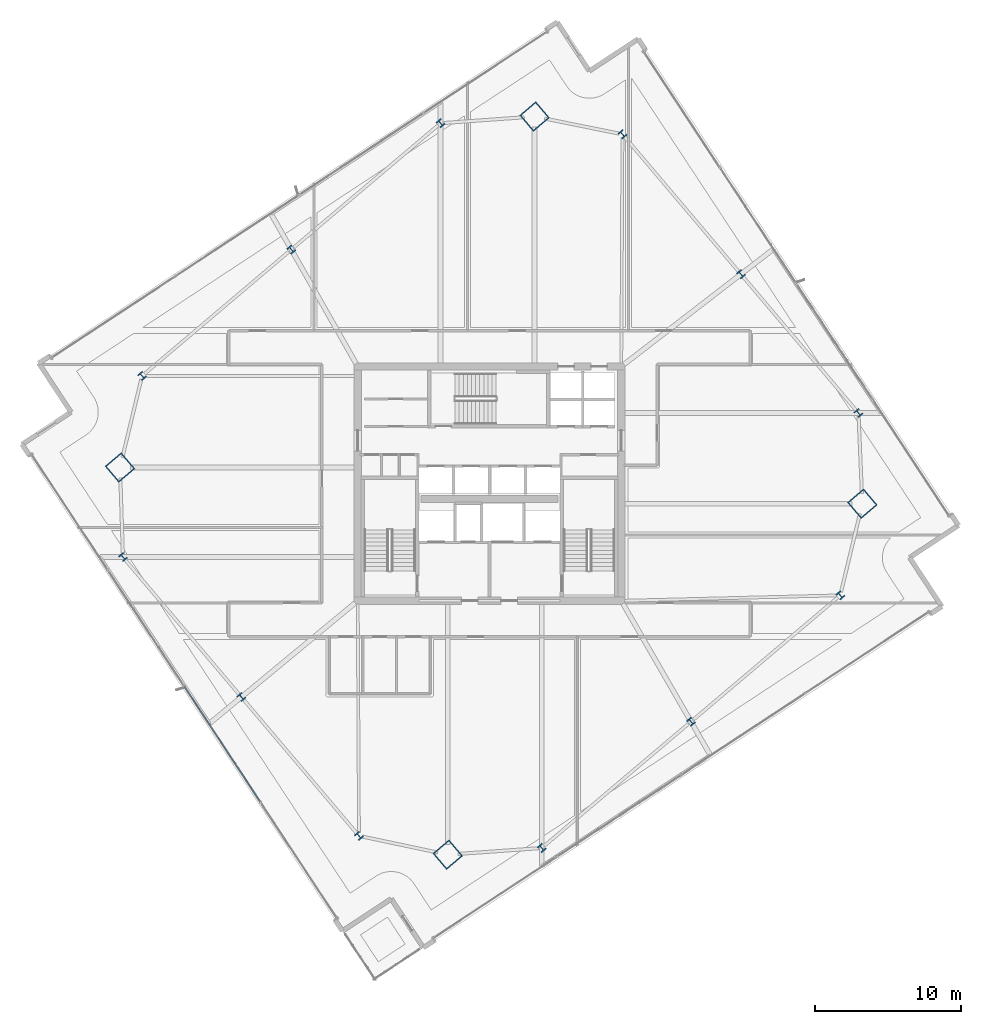
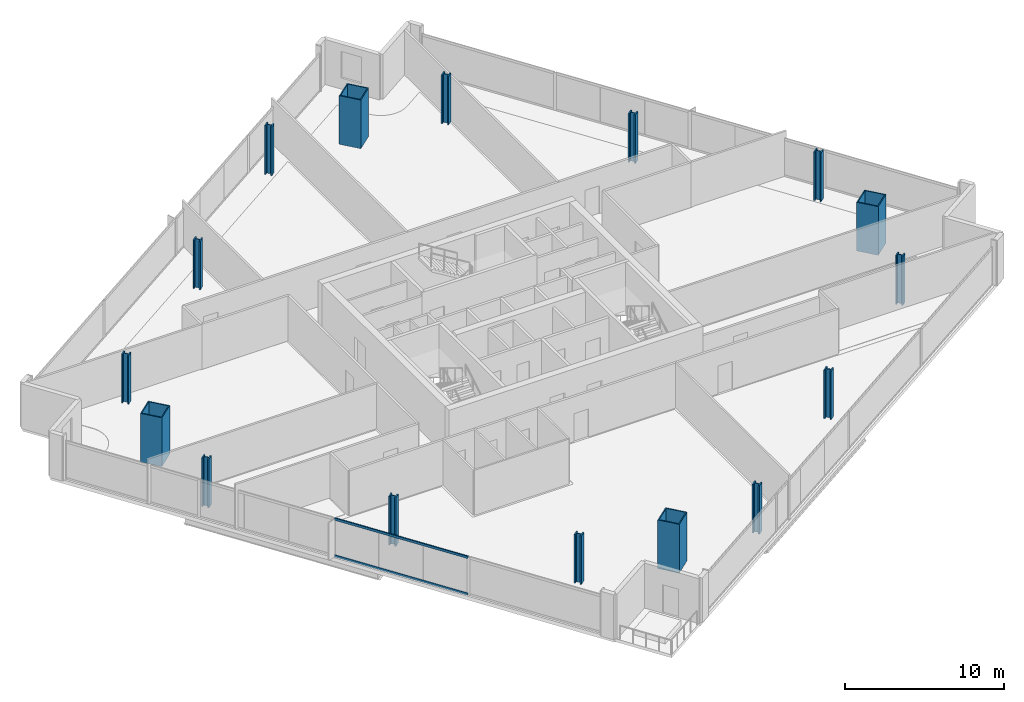
# One storey, part 1 of 29: 16 columns, 2 members, 1 element without a shape of its own.
"""IFC4 building model written with IfcOpenShell, lengths in metres."""

from ifc_helpers import new_model, si_unit, direction, frame, origin, origin_2d, place, context, subcontext, project, spatial, hollow_rectangle, i_section, extrude, material, material_profile, profile_set, type_object, element, aggregate, save


model = new_model("IFC4")

# Units and contexts
model_context = context("Model", 3, precision=1e-05, world=origin(), true_north=direction((0.0, 1.0)))
body_context = subcontext(model_context, "Body", "Model", "MODEL_VIEW")
ifc_project = project(units=[si_unit("LENGTHUNIT", "METRE"), si_unit("AREAUNIT", "SQUARE_METRE"), si_unit("VOLUMEUNIT", "CUBIC_METRE"), si_unit("PLANEANGLEUNIT", "RADIAN"), si_unit("MASSUNIT", "GRAM", prefix="KILO")], contexts=[model_context])

# Site, building, storey
site_placement = place(None, origin())
site = spatial("IfcSite", under=ifc_project, at=site_placement, CompositionType="ELEMENT")
building_placement = place(site_placement, origin())
building = spatial("IfcBuilding", under=site, at=building_placement, Name="Haldenkirk Collegiate Tower", CompositionType="ELEMENT")
storey_placement = place(building_placement, frame((0.0, 0.0, 140.699951171875)))
storey = spatial("IfcBuildingStorey", under=building, at=storey_placement, Name="L34", CompositionType="ELEMENT", Elevation=140.699951171875)

# Columns
ifc_material_1 = material(Name="Steel ASTM A913 Grade 65", Category="steel")
ifc_material_profile_1 = material_profile(ifc_material_1, i_section(OverallWidth=0.431884765625, OverallDepth=0.498046875, WebThickness=0.0556640625, FlangeThickness=0.0888671875, at=origin_2d()), Name="W14X500")
ifc_profile_set_1 = profile_set([ifc_material_profile_1], Name="Steel ASTM A913 Grade 65")
column_type_1 = type_object("IfcColumnType", Name="COL-INT-W14X500", PredefinedType="COLUMN", material=ifc_profile_set_1)
for number, where, z_axis, x_axis, name in (
    (1, (39.568603515625, 1.113525390625, 0.0), (0.0, 0.0, 1.0), (0.763232469783, 0.646123979643, 0.0), "L34 perimeter gravity column PC-S1"),
    (2, (49.762451171875, 9.7431640625, 0.0), (0.0, 0.0, 1.0), (0.763232469783, 0.646123979643, 0.0), "L34 perimeter gravity column PC-S2"),
    (3, (59.956298828125, 18.372802734375, 0.0), (0.0, 0.0, 1.0), (0.763232469783, 0.646123979643, 0.0), "L34 perimeter gravity column PC-S3"),
    (4, (61.199462890625, 30.82421875, 0.0), (0.0, 0.0, 1.0), (0.763232469783, 0.646123979643, 0.0), "L34 perimeter gravity column PC-E1"),
    (5, (53.17138671875, 40.307373046875, 0.0), (0.0, 0.0, 1.0), (0.763232469783, 0.646123979643, 0.0), "L34 perimeter gravity column PC-E2"),
    (6, (45.079833984375, 49.865234375, 0.0), (0.0, 0.0, 1.0), (0.763232469783, 0.646123979643, 0.0), "L34 perimeter gravity column PC-E3"),
    (7, (32.657470703125, 50.619384765625, 0.0), (0.0, 0.0, 1.0), (0.763232469783, 0.646123979643, 0.0), "L34 perimeter gravity column PC-N1"),
    (8, (22.463623046875, 41.98974609375, 0.0), (0.0, 0.0, 1.0), (0.763232469783, 0.646123979643, 0.0), "L34 perimeter gravity column PC-N2"),
    (9, (12.27001953125, 33.360107421875, 0.0), (0.0, 0.0, 1.0), (0.763232469783, 0.646123979643, 0.0), "L34 perimeter gravity column PC-N3"),
    (10, (10.96337890625, 20.9833984375, 0.0), (0.0, 0.0, 1.0), (0.763232469783, 0.646123979643, 0.0), "L34 perimeter gravity column PC-W1"),
    (11, (19.0546875, 11.425537109375, 0.0), (0.0, 0.0, 1.0), (0.763232469783, 0.646123979643, 0.0), "L34 perimeter gravity column PC-W2"),
    (12, (27.0830078125, 1.9423828125, 0.0), (0.0, 0.0, 1.0), (0.763232469783, 0.646123979643, 0.0), "L34 perimeter gravity column PC-W3"),
):
    element("IfcColumn", number, at=place(storey_placement, frame(where, z_axis=z_axis, x_axis=x_axis)), inside=storey, type_object=column_type_1, Name=name, PredefinedType="COLUMN", context=body_context, shape_type="SweptSolid", body=[
        extrude(i_section(OverallWidth=0.431884765625, OverallDepth=0.498046875, WebThickness=0.0556640625, FlangeThickness=0.0888671875, at=origin_2d()), origin(), (0.0, 0.0, 1.0), 3.75),
    ])
ifc_material_2 = material(Name="Steel ASTM A572 Grade 50", Category="steel")
ifc_material_profile_2 = material_profile(ifc_material_2, hollow_rectangle(XDim=1.449951171875, YDim=1.449951171875, WallThickness=0.070068359375, at=origin_2d()), Name="BOX1450X1450X70")
ifc_profile_set_2 = profile_set([ifc_material_profile_2], Name="Steel ASTM A572 Grade 50")
column_type_2 = type_object("IfcColumnType", Name="COL-MEGA-BOX1450X1450X70", PredefinedType="COLUMN", material=ifc_profile_set_2)
for number, where, z_axis, x_axis, name in (
    (13, (33.149169921875, 0.65771484375, 0.0), (0.0, 0.0, 1.0), (0.763232469783, 0.646123979643, 0.0), "L34 corner mega-column MC1"),
    (14, (61.465087890625, 24.62890625, 0.0), (0.0, 0.0, 1.0), (0.763232469783, 0.646123979643, 0.0), "L34 corner mega-column MC2"),
    (15, (39.076904296875, 51.074951171875, 0.0), (0.0, 0.0, 1.0), (0.763232469783, 0.646123979643, 0.0), "L34 corner mega-column MC3"),
    (16, (10.760986328125, 27.103759765625, 0.0), (0.0, 0.0, 1.0), (0.763232469783, 0.646123979643, 0.0), "L34 corner mega-column MC4"),
):
    element("IfcColumn", number, at=place(storey_placement, frame(where, z_axis=z_axis, x_axis=x_axis)), inside=storey, type_object=column_type_2, Name=name, PredefinedType="COLUMN", context=body_context, shape_type="SweptSolid", body=[
        extrude(hollow_rectangle(XDim=1.449951171875, YDim=1.449951171875, WallThickness=0.070068359375, at=origin_2d()), origin(), (0.0, 0.0, 1.0), 3.75),
    ])

# Curtain wall, members
ifc_material_3 = material(Name="Anodised architectural bronze aluminium", Category="aluminium")
curtain_wall_type = type_object("IfcCurtainWallType", Name="CW-SYS1-CONVEX-LOW", PredefinedType="USERDEFINED", material=ifc_material_3)
curtain_wall_placement = place(storey_placement, origin())
curtain_wall = element("IfcCurtainWall", 17, at=curtain_wall_placement, inside=storey, type_object=curtain_wall_type, Name="L34 Lower tower convex bronze-framed unitised curtain wall", ObjectType="UNITISED CURTAIN WALL", PredefinedType="USERDEFINED")
ifc_material_profile_3 = material_profile(ifc_material_3, hollow_rectangle(XDim=0.080078125, YDim=0.179931640625, WallThickness=0.0048828125, at=origin_2d()), Name="CW-TRN-1A")
ifc_profile_set_3 = profile_set([ifc_material_profile_3], Name="Anodised architectural bronze aluminium")
member_type = type_object("IfcMemberType", Name="CW-TRN-1A", PredefinedType="USERDEFINED", material=ifc_profile_set_3)
member_1_placement = place(storey_placement, frame((20.355712890625, 4.259521484375, 0.0400390625), z_axis=(-0.549762152266, 0.835321241162, 0.0), x_axis=(-0.835321241162, -0.549762152266, 0.0)))
member_1 = element("IfcMember", 18, at=member_1_placement, type_object=member_type, Name="CW-1A transom 2.1", ObjectType="TRANSOM", PredefinedType="USERDEFINED", context=body_context, shape_type="SweptSolid", body=[
    extrude(hollow_rectangle(XDim=0.080078125, YDim=0.179931640625, WallThickness=0.0048828125, at=origin_2d()), origin(), (0.0, 0.0, 1.0), 9.419921875),
])
member_2_placement = place(storey_placement, frame((20.355712890625, 4.259521484375, 2.87109375), z_axis=(-0.549762152266, 0.835321241162, 0.0), x_axis=(-0.835321241162, -0.549762152266, 0.0)))
member_2 = element("IfcMember", 19, at=member_2_placement, type_object=member_type, Name="CW-1A transom 2.2", ObjectType="TRANSOM", PredefinedType="USERDEFINED", context=body_context, shape_type="SweptSolid", body=[
    extrude(hollow_rectangle(XDim=0.080078125, YDim=0.179931640625, WallThickness=0.0048828125, at=origin_2d()), origin(), (0.0, 0.0, 1.0), 9.419921875),
])
aggregate(curtain_wall, [member_1, member_2])

save(model, "model.ifc")
